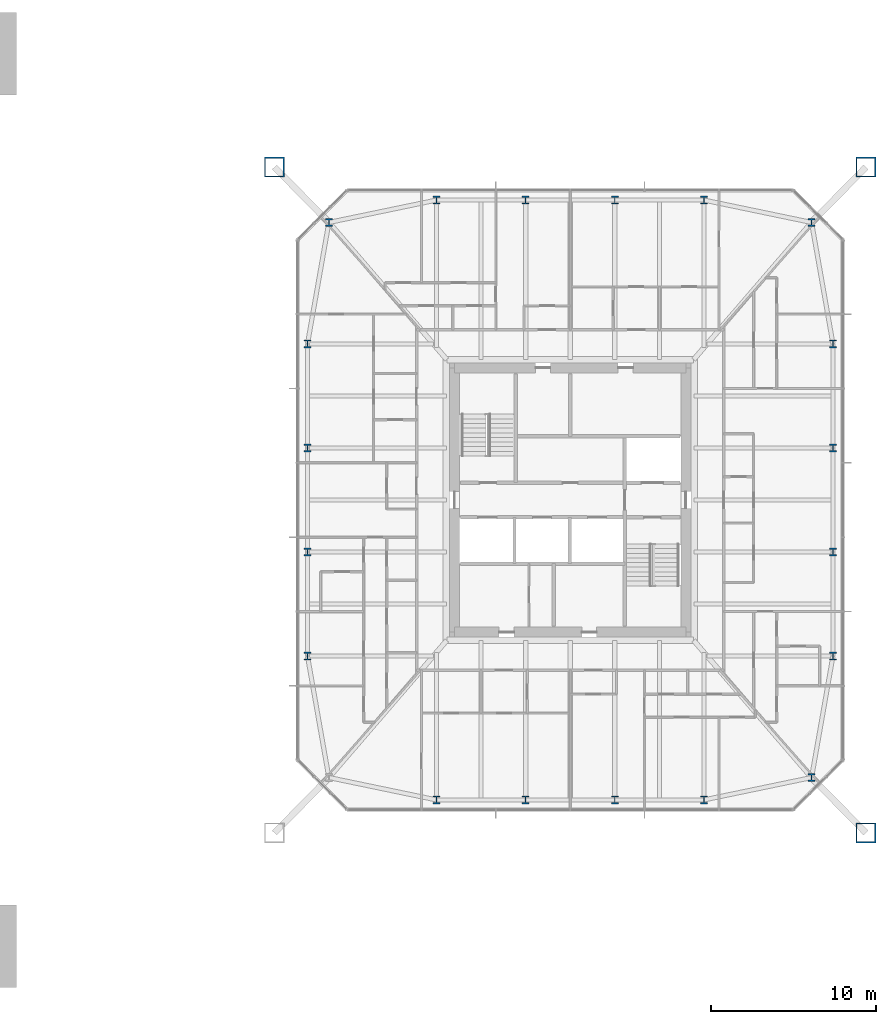
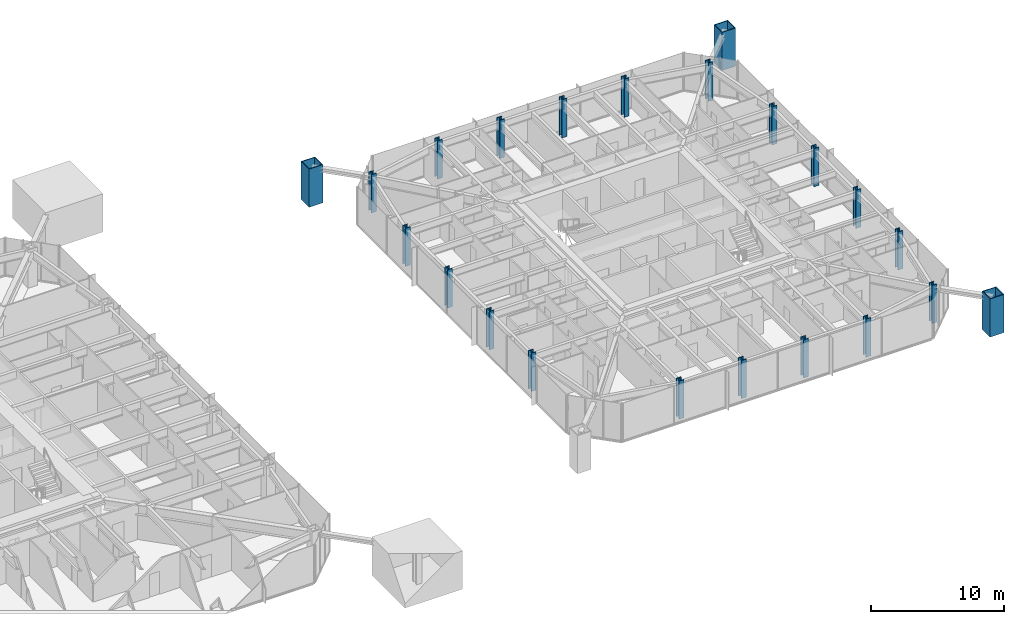
# One storey, part 2 of 26: 22 columns.
"""IFC4 building model written with IfcOpenShell, lengths in metres."""

from ifc_helpers import new_model, si_unit, direction, frame, origin, origin_2d, place, context, subcontext, project, spatial, hollow_rectangle, i_section, extrude, material, material_profile, profile_set, type_object, element, save


model = new_model("IFC4")

# Units and contexts
model_context = context("Model", 3, precision=1e-05, world=origin(), true_north=direction((0.0, 1.0)))
body_context = subcontext(model_context, "Body", "Model", "MODEL_VIEW")
ifc_project = project(units=[si_unit("LENGTHUNIT", "METRE"), si_unit("AREAUNIT", "SQUARE_METRE"), si_unit("VOLUMEUNIT", "CUBIC_METRE"), si_unit("PLANEANGLEUNIT", "RADIAN"), si_unit("MASSUNIT", "GRAM", prefix="KILO")], contexts=[model_context])

# Site, building, storey
site_placement = place(None, origin())
site = spatial("IfcSite", under=ifc_project, at=site_placement, CompositionType="ELEMENT")
building_placement = place(site_placement, origin())
building = spatial("IfcBuilding", under=site, at=building_placement, Name="Iwan Alto Co-Living Towers", CompositionType="ELEMENT")
storey_placement = place(building_placement, frame((0.0, 0.0, 67.5)))
storey = spatial("IfcBuildingStorey", under=building, at=storey_placement, Name="L18", CompositionType="ELEMENT", Elevation=67.5)

# Columns
ifc_material_1 = material(Name="Steel ASTM A572 Gr 50", Category="steel")
ifc_material_profile_1 = material_profile(ifc_material_1, hollow_rectangle(XDim=1.199951171875, YDim=1.199951171875, WallThickness=0.070068359375, at=origin_2d()), Name="BOX 1200X1200X70")
ifc_profile_set_1 = profile_set([ifc_material_profile_1], Name="Steel ASTM A572 Gr 50")
column_type_1 = type_object("IfcColumnType", Name="T2 MEGA COLUMN BOX 1200X1200X70", PredefinedType="COLUMN", material=ifc_profile_set_1)
for number, where, z_axis, x_axis, name in (
    (1, (80.89990234375, -20.14990234375, 0.0), (0.0, 0.0, 1.0), (1.0, 0.0, 0.0), "T2 mega column SE L18"),
    (2, (80.89990234375, 20.14990234375, 0.0), (0.0, 0.0, 1.0), (1.0, 0.0, 0.0), "T2 mega column NE L18"),
    (3, (45.10009765625, 20.14990234375, 0.0), (0.0, 0.0, 1.0), (1.0, 0.0, 0.0), "T2 mega column NW L18"),
):
    element("IfcColumn", number, at=place(storey_placement, frame(where, z_axis=z_axis, x_axis=x_axis)), inside=storey, type_object=column_type_1, Name=name, PredefinedType="COLUMN", context=body_context, shape_type="SweptSolid", body=[
        extrude(hollow_rectangle(XDim=1.199951171875, YDim=1.199951171875, WallThickness=0.070068359375, at=origin_2d()), origin(), (0.0, 0.0, 1.0), 3.5),
    ])
ifc_material_2 = material(Name="Steel ASTM A992 Gr 50", Category="steel")
ifc_material_profile_2 = material_profile(ifc_material_2, i_section(OverallWidth=0.424072265625, OverallDepth=0.47509765625, WebThickness=0.0478515625, FlangeThickness=0.0771484375, at=origin_2d()), Name="W14X426")
ifc_profile_set_2 = profile_set([ifc_material_profile_2], Name="Steel ASTM A992 Gr 50")
column_type_2 = type_object("IfcColumnType", Name="T2 RING COLUMN W14X426", PredefinedType="COLUMN", material=ifc_profile_set_2)
for number, where, z_axis, x_axis, name in (
    (4, (54.89990234375, -18.14990234375, 0.0), (0.0, 0.0, 1.0), (1.0, 0.0, 0.0), "T2 ring column S1 L18"),
    (5, (60.300048828125, -18.14990234375, 0.0), (0.0, 0.0, 1.0), (1.0, 0.0, 0.0), "T2 ring column S2 L18"),
    (6, (65.699951171875, -18.14990234375, 0.0), (0.0, 0.0, 1.0), (1.0, 0.0, 0.0), "T2 ring column S3 L18"),
    (7, (71.10009765625, -18.14990234375, 0.0), (0.0, 0.0, 1.0), (1.0, 0.0, 0.0), "T2 ring column S4 L18"),
    (8, (77.606201171875, -16.797119140625, 0.0), (0.0, 0.0, 1.0), (1.0, 0.0, 0.0), "T2 ring column CSE L18"),
    (9, (78.89990234375, -9.449951171875, 0.0), (0.0, 0.0, 1.0), (1.0, 0.0, 0.0), "T2 ring column E1 L18"),
    (10, (78.89990234375, -3.14990234375, 0.0), (0.0, 0.0, 1.0), (1.0, 0.0, 0.0), "T2 ring column E2 L18"),
    (11, (78.89990234375, 3.14990234375, 0.0), (0.0, 0.0, 1.0), (1.0, 0.0, 0.0), "T2 ring column E3 L18"),
    (12, (78.89990234375, 9.449951171875, 0.0), (0.0, 0.0, 1.0), (1.0, 0.0, 0.0), "T2 ring column E4 L18"),
    (13, (77.606201171875, 16.797119140625, 0.0), (0.0, 0.0, 1.0), (1.0, 0.0, 0.0), "T2 ring column CNE L18"),
    (14, (71.10009765625, 18.14990234375, 0.0), (0.0, 0.0, 1.0), (1.0, 0.0, 0.0), "T2 ring column N1 L18"),
    (15, (65.699951171875, 18.14990234375, 0.0), (0.0, 0.0, 1.0), (1.0, 0.0, 0.0), "T2 ring column N2 L18"),
    (16, (60.300048828125, 18.14990234375, 0.0), (0.0, 0.0, 1.0), (1.0, 0.0, 0.0), "T2 ring column N3 L18"),
    (17, (54.89990234375, 18.14990234375, 0.0), (0.0, 0.0, 1.0), (1.0, 0.0, 0.0), "T2 ring column N4 L18"),
    (18, (48.393798828125, 16.797119140625, 0.0), (0.0, 0.0, 1.0), (1.0, 0.0, 0.0), "T2 ring column CNW L18"),
    (19, (47.10009765625, 9.449951171875, 0.0), (0.0, 0.0, 1.0), (1.0, 0.0, 0.0), "T2 ring column W1 L18"),
    (20, (47.10009765625, 3.14990234375, 0.0), (0.0, 0.0, 1.0), (1.0, 0.0, 0.0), "T2 ring column W2 L18"),
    (21, (47.10009765625, -3.14990234375, 0.0), (0.0, 0.0, 1.0), (1.0, 0.0, 0.0), "T2 ring column W3 L18"),
    (22, (47.10009765625, -9.449951171875, 0.0), (0.0, 0.0, 1.0), (1.0, 0.0, 0.0), "T2 ring column W4 L18"),
):
    element("IfcColumn", number, at=place(storey_placement, frame(where, z_axis=z_axis, x_axis=x_axis)), inside=storey, type_object=column_type_2, Name=name, PredefinedType="COLUMN", context=body_context, shape_type="SweptSolid", body=[
        extrude(i_section(OverallWidth=0.424072265625, OverallDepth=0.47509765625, WebThickness=0.0478515625, FlangeThickness=0.0771484375, at=origin_2d()), origin(), (0.0, 0.0, 1.0), 3.5),
    ])

save(model, "model.ifc")
